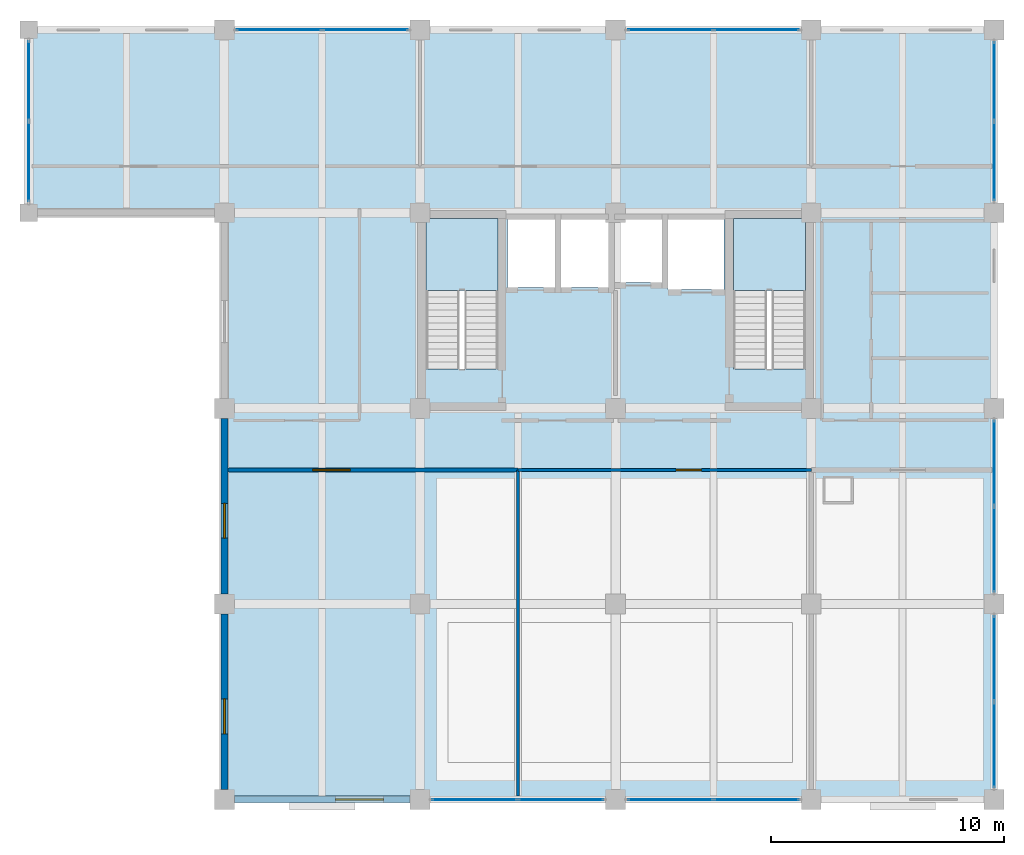
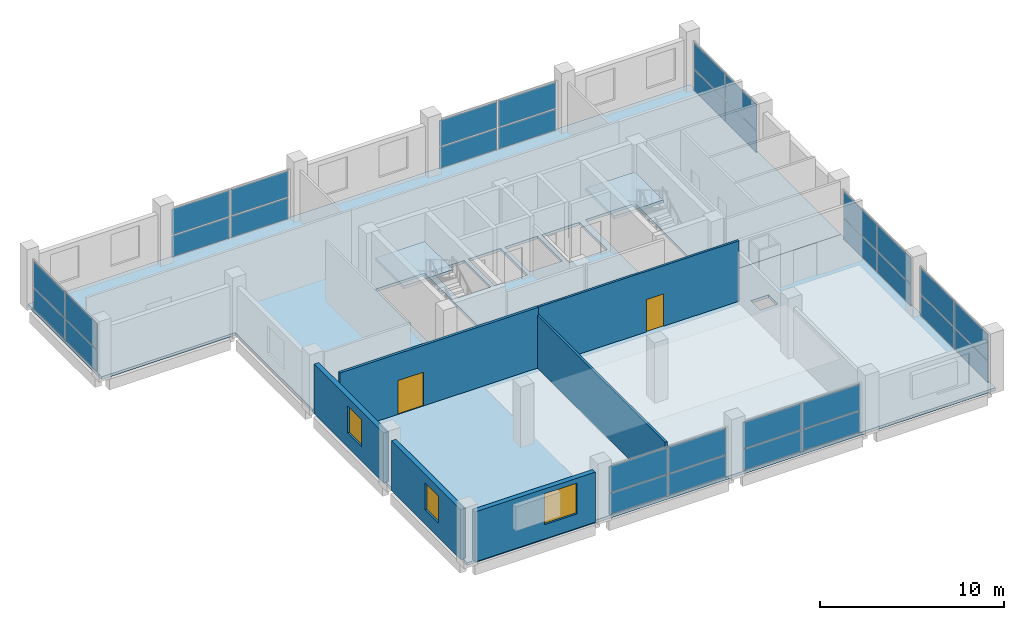
# One storey, part 6 of 9: 32 plates, 6 walls, 4 slabs, 3 windows, 2 doors, 5 openings, 10 elements without a shape of their own.
"""IFC4 building model written with IfcOpenShell, lengths in metres."""

from ifc_helpers import new_model, si_unit, direction, frame, frame_2d, origin, origin_2d, place, context, subcontext, project, spatial, polyline, rectangle, outline, extrude, material, layer, layer_set, type_object, element, fill, aggregate, save


model = new_model("IFC4")

# Units and contexts
model_context = context("Model", 3, precision=1e-05, world=origin(), true_north=direction((0.0, 1.0)))
body_context = subcontext(model_context, "Body", "Model", "MODEL_VIEW")
ifc_project = project(units=[si_unit("LENGTHUNIT", "METRE"), si_unit("AREAUNIT", "SQUARE_METRE"), si_unit("VOLUMEUNIT", "CUBIC_METRE"), si_unit("PLANEANGLEUNIT", "RADIAN"), si_unit("MASSUNIT", "GRAM", prefix="KILO")], contexts=[model_context])

# Site, building, storey
site_placement = place(None, origin())
site = spatial("IfcSite", under=ifc_project, at=site_placement, CompositionType="ELEMENT")
building_placement = place(site_placement, origin())
building = spatial("IfcBuilding", under=site, at=building_placement, Name="Brinegate Botanical Conservatory", CompositionType="ELEMENT")
storey_placement = place(building_placement, frame((0.0, 0.0, 31.800048828125)))
storey = spatial("IfcBuildingStorey", under=building, at=storey_placement, Name="L08", CompositionType="ELEMENT", Elevation=31.800048828125)

# Curtain wall, plates
ifc_material_1 = material(Name="Thermally broken anodised aluminium AW-6063-T6", Category="aluminium")
curtain_wall_type = type_object("IfcCurtainWallType", Name="CW_CW-TW1", PredefinedType="USERDEFINED", material=ifc_material_1)
curtain_wall_1_placement = place(storey_placement, origin())
curtain_wall_1 = element("IfcCurtainWall", 1, at=curtain_wall_1_placement, inside=storey, type_object=curtain_wall_type, Name="Research lab north curtain wall L08.2", ObjectType="FACTORY CURTAIN WALL", PredefinedType="USERDEFINED")
ifc_material_2 = material(Name="Double-silver Low-E laminated safety glass", Category="glass")
ifc_layer_1 = layer(ifc_material_2, 0.035888671875, Name="Double-silver Low-E laminated safety glass", Category="glass")
ifc_layer_set_1 = layer_set([ifc_layer_1], Name="Double-silver Low-E laminated safety glass")
plate_type = type_object("IfcPlateType", Name="Plate_PN-36", PredefinedType="CURTAIN_PANEL", material=ifc_layer_set_1)
plate_1_placement = place(storey_placement, frame((132.75, 111.449951171875, 0.06982421875), z_axis=(0.0, 0.0, 1.0), x_axis=(1.0, 0.0, 0.0)))
plate_1 = element("IfcPlate", 2, at=plate_1_placement, type_object=plate_type, Name="CW-TW1 panel 1.1", PredefinedType="CURTAIN_PANEL", context=body_context, shape_type="SweptSolid", body=[
    extrude(rectangle(XDim=3.6298828125, YDim=0.035888671875, at=origin_2d()), origin(), (0.0, 0.0, 1.0), 1.388916015625),
])
plate_2_placement = place(storey_placement, frame((132.75, 111.449951171875, 1.52880859375), z_axis=(0.0, 0.0, 1.0), x_axis=(1.0, 0.0, 0.0)))
plate_2 = element("IfcPlate", 3, at=plate_2_placement, type_object=plate_type, Name="CW-TW1 panel 1.2", PredefinedType="CURTAIN_PANEL", context=body_context, shape_type="SweptSolid", body=[
    extrude(rectangle(XDim=3.6298828125, YDim=0.035888671875, at=origin_2d()), origin(), (0.0, 0.0, 1.0), 1.720947265625),
])
plate_3_placement = place(storey_placement, frame((136.449951171875, 111.449951171875, 0.06982421875), z_axis=(0.0, 0.0, 1.0), x_axis=(1.0, 0.0, 0.0)))
plate_3 = element("IfcPlate", 4, at=plate_3_placement, type_object=plate_type, Name="CW-TW1 panel 2.1", PredefinedType="CURTAIN_PANEL", context=body_context, shape_type="SweptSolid", body=[
    extrude(rectangle(XDim=3.6298828125, YDim=0.035888671875, at=origin_2d()), origin(), (0.0, 0.0, 1.0), 1.388916015625),
])
plate_4_placement = place(storey_placement, frame((136.449951171875, 111.449951171875, 1.52880859375), z_axis=(0.0, 0.0, 1.0), x_axis=(1.0, 0.0, 0.0)))
plate_4 = element("IfcPlate", 5, at=plate_4_placement, type_object=plate_type, Name="CW-TW1 panel 2.2", PredefinedType="CURTAIN_PANEL", context=body_context, shape_type="SweptSolid", body=[
    extrude(rectangle(XDim=3.6298828125, YDim=0.035888671875, at=origin_2d()), origin(), (0.0, 0.0, 1.0), 1.720947265625),
])
aggregate(curtain_wall_1, [plate_1, plate_2, plate_3, plate_4])

curtain_wall_2_placement = place(storey_placement, origin())
curtain_wall_2 = element("IfcCurtainWall", 6, at=curtain_wall_2_placement, inside=storey, type_object=curtain_wall_type, Name="Research lab north curtain wall L08.4", ObjectType="FACTORY CURTAIN WALL", PredefinedType="USERDEFINED")
plate_5_placement = place(storey_placement, frame((149.550048828125, 111.449951171875, 0.06982421875), z_axis=(0.0, 0.0, 1.0), x_axis=(1.0, 0.0, 0.0)))
plate_5 = element("IfcPlate", 7, at=plate_5_placement, type_object=plate_type, Name="CW-TW1 panel 1.1", PredefinedType="CURTAIN_PANEL", context=body_context, shape_type="SweptSolid", body=[
    extrude(rectangle(XDim=3.6298828125, YDim=0.035888671875, at=origin_2d()), origin(), (0.0, 0.0, 1.0), 1.388916015625),
])
plate_6_placement = place(storey_placement, frame((149.550048828125, 111.449951171875, 1.52880859375), z_axis=(0.0, 0.0, 1.0), x_axis=(1.0, 0.0, 0.0)))
plate_6 = element("IfcPlate", 8, at=plate_6_placement, type_object=plate_type, Name="CW-TW1 panel 1.2", PredefinedType="CURTAIN_PANEL", context=body_context, shape_type="SweptSolid", body=[
    extrude(rectangle(XDim=3.6298828125, YDim=0.035888671875, at=origin_2d()), origin(), (0.0, 0.0, 1.0), 1.720947265625),
])
plate_7_placement = place(storey_placement, frame((153.25, 111.449951171875, 0.06982421875), z_axis=(0.0, 0.0, 1.0), x_axis=(1.0, 0.0, 0.0)))
plate_7 = element("IfcPlate", 9, at=plate_7_placement, type_object=plate_type, Name="CW-TW1 panel 2.1", PredefinedType="CURTAIN_PANEL", context=body_context, shape_type="SweptSolid", body=[
    extrude(rectangle(XDim=3.6298828125, YDim=0.035888671875, at=origin_2d()), origin(), (0.0, 0.0, 1.0), 1.388916015625),
])
plate_8_placement = place(storey_placement, frame((153.25, 111.449951171875, 1.52880859375), z_axis=(0.0, 0.0, 1.0), x_axis=(1.0, 0.0, 0.0)))
plate_8 = element("IfcPlate", 10, at=plate_8_placement, type_object=plate_type, Name="CW-TW1 panel 2.2", PredefinedType="CURTAIN_PANEL", context=body_context, shape_type="SweptSolid", body=[
    extrude(rectangle(XDim=3.6298828125, YDim=0.035888671875, at=origin_2d()), origin(), (0.0, 0.0, 1.0), 1.720947265625),
])
aggregate(curtain_wall_2, [plate_5, plate_6, plate_7, plate_8])

curtain_wall_3_placement = place(storey_placement, origin())
curtain_wall_3 = element("IfcCurtainWall", 11, at=curtain_wall_3_placement, inside=storey, type_object=curtain_wall_type, Name="Tower south curtain wall L08.2", ObjectType="FACTORY CURTAIN WALL", PredefinedType="USERDEFINED")
plate_9_placement = place(storey_placement, frame((144.85009765625, 78.39990234375, 0.06982421875), z_axis=(0.0, 0.0, 1.0), x_axis=(-1.0, 0.0, 0.0)))
plate_9 = element("IfcPlate", 12, at=plate_9_placement, type_object=plate_type, Name="CW-TW1 panel 1.1", PredefinedType="CURTAIN_PANEL", context=body_context, shape_type="SweptSolid", body=[
    extrude(rectangle(XDim=3.6298828125, YDim=0.035888671875, at=origin_2d()), origin(), (0.0, 0.0, 1.0), 1.388916015625),
])
plate_10_placement = place(storey_placement, frame((144.85009765625, 78.39990234375, 1.52880859375), z_axis=(0.0, 0.0, 1.0), x_axis=(-1.0, 0.0, 0.0)))
plate_10 = element("IfcPlate", 13, at=plate_10_placement, type_object=plate_type, Name="CW-TW1 panel 1.2", PredefinedType="CURTAIN_PANEL", context=body_context, shape_type="SweptSolid", body=[
    extrude(rectangle(XDim=3.6298828125, YDim=0.035888671875, at=origin_2d()), origin(), (0.0, 0.0, 1.0), 1.720947265625),
])
plate_11_placement = place(storey_placement, frame((141.14990234375, 78.39990234375, 0.06982421875), z_axis=(0.0, 0.0, 1.0), x_axis=(-1.0, 0.0, 0.0)))
plate_11 = element("IfcPlate", 14, at=plate_11_placement, type_object=plate_type, Name="CW-TW1 panel 2.1", PredefinedType="CURTAIN_PANEL", context=body_context, shape_type="SweptSolid", body=[
    extrude(rectangle(XDim=3.6298828125, YDim=0.035888671875, at=origin_2d()), origin(), (0.0, 0.0, 1.0), 1.388916015625),
])
plate_12_placement = place(storey_placement, frame((141.14990234375, 78.39990234375, 1.52880859375), z_axis=(0.0, 0.0, 1.0), x_axis=(-1.0, 0.0, 0.0)))
plate_12 = element("IfcPlate", 15, at=plate_12_placement, type_object=plate_type, Name="CW-TW1 panel 2.2", PredefinedType="CURTAIN_PANEL", context=body_context, shape_type="SweptSolid", body=[
    extrude(rectangle(XDim=3.6298828125, YDim=0.035888671875, at=origin_2d()), origin(), (0.0, 0.0, 1.0), 1.720947265625),
])
aggregate(curtain_wall_3, [plate_9, plate_10, plate_11, plate_12])

curtain_wall_4_placement = place(storey_placement, origin())
curtain_wall_4 = element("IfcCurtainWall", 16, at=curtain_wall_4_placement, inside=storey, type_object=curtain_wall_type, Name="Tower south curtain wall L08.3", ObjectType="FACTORY CURTAIN WALL", PredefinedType="USERDEFINED")
plate_13_placement = place(storey_placement, frame((153.25, 78.39990234375, 0.06982421875), z_axis=(0.0, 0.0, 1.0), x_axis=(-1.0, 0.0, 0.0)))
plate_13 = element("IfcPlate", 17, at=plate_13_placement, type_object=plate_type, Name="CW-TW1 panel 1.1", PredefinedType="CURTAIN_PANEL", context=body_context, shape_type="SweptSolid", body=[
    extrude(rectangle(XDim=3.6298828125, YDim=0.035888671875, at=origin_2d()), origin(), (0.0, 0.0, 1.0), 1.388916015625),
])
plate_14_placement = place(storey_placement, frame((153.25, 78.39990234375, 1.52880859375), z_axis=(0.0, 0.0, 1.0), x_axis=(-1.0, 0.0, 0.0)))
plate_14 = element("IfcPlate", 18, at=plate_14_placement, type_object=plate_type, Name="CW-TW1 panel 1.2", PredefinedType="CURTAIN_PANEL", context=body_context, shape_type="SweptSolid", body=[
    extrude(rectangle(XDim=3.6298828125, YDim=0.035888671875, at=origin_2d()), origin(), (0.0, 0.0, 1.0), 1.720947265625),
])
plate_15_placement = place(storey_placement, frame((149.550048828125, 78.39990234375, 0.06982421875), z_axis=(0.0, 0.0, 1.0), x_axis=(-1.0, 0.0, 0.0)))
plate_15 = element("IfcPlate", 19, at=plate_15_placement, type_object=plate_type, Name="CW-TW1 panel 2.1", PredefinedType="CURTAIN_PANEL", context=body_context, shape_type="SweptSolid", body=[
    extrude(rectangle(XDim=3.6298828125, YDim=0.035888671875, at=origin_2d()), origin(), (0.0, 0.0, 1.0), 1.388916015625),
])
plate_16_placement = place(storey_placement, frame((149.550048828125, 78.39990234375, 1.52880859375), z_axis=(0.0, 0.0, 1.0), x_axis=(-1.0, 0.0, 0.0)))
plate_16 = element("IfcPlate", 20, at=plate_16_placement, type_object=plate_type, Name="CW-TW1 panel 2.2", PredefinedType="CURTAIN_PANEL", context=body_context, shape_type="SweptSolid", body=[
    extrude(rectangle(XDim=3.6298828125, YDim=0.035888671875, at=origin_2d()), origin(), (0.0, 0.0, 1.0), 1.720947265625),
])
aggregate(curtain_wall_4, [plate_13, plate_14, plate_15, plate_16])

curtain_wall_5_placement = place(storey_placement, origin())
curtain_wall_5 = element("IfcCurtainWall", 21, at=curtain_wall_5_placement, inside=storey, type_object=curtain_wall_type, Name="Tower east curtain wall L08.1", ObjectType="FACTORY CURTAIN WALL", PredefinedType="USERDEFINED")
plate_17_placement = place(storey_placement, frame((163.449951171875, 84.449951171875, 0.06982421875), z_axis=(0.0, 0.0, 1.0), x_axis=(0.0, -1.0, 0.0)))
plate_17 = element("IfcPlate", 22, at=plate_17_placement, type_object=plate_type, Name="CW-TW1 panel 1.1", PredefinedType="CURTAIN_PANEL", context=body_context, shape_type="SweptSolid", body=[
    extrude(rectangle(XDim=3.6298828125, YDim=0.035888671875, at=origin_2d()), origin(), (0.0, 0.0, 1.0), 1.388916015625),
])
plate_18_placement = place(storey_placement, frame((163.449951171875, 84.449951171875, 1.52880859375), z_axis=(0.0, 0.0, 1.0), x_axis=(0.0, -1.0, 0.0)))
plate_18 = element("IfcPlate", 23, at=plate_18_placement, type_object=plate_type, Name="CW-TW1 panel 1.2", PredefinedType="CURTAIN_PANEL", context=body_context, shape_type="SweptSolid", body=[
    extrude(rectangle(XDim=3.6298828125, YDim=0.035888671875, at=origin_2d()), origin(), (0.0, 0.0, 1.0), 1.720947265625),
])
plate_19_placement = place(storey_placement, frame((163.449951171875, 80.75, 0.06982421875), z_axis=(0.0, 0.0, 1.0), x_axis=(0.0, -1.0, 0.0)))
plate_19 = element("IfcPlate", 24, at=plate_19_placement, type_object=plate_type, Name="CW-TW1 panel 2.1", PredefinedType="CURTAIN_PANEL", context=body_context, shape_type="SweptSolid", body=[
    extrude(rectangle(XDim=3.6298828125, YDim=0.035888671875, at=origin_2d()), origin(), (0.0, 0.0, 1.0), 1.388916015625),
])
plate_20_placement = place(storey_placement, frame((163.449951171875, 80.75, 1.52880859375), z_axis=(0.0, 0.0, 1.0), x_axis=(0.0, -1.0, 0.0)))
plate_20 = element("IfcPlate", 25, at=plate_20_placement, type_object=plate_type, Name="CW-TW1 panel 2.2", PredefinedType="CURTAIN_PANEL", context=body_context, shape_type="SweptSolid", body=[
    extrude(rectangle(XDim=3.6298828125, YDim=0.035888671875, at=origin_2d()), origin(), (0.0, 0.0, 1.0), 1.720947265625),
])
aggregate(curtain_wall_5, [plate_17, plate_18, plate_19, plate_20])

curtain_wall_6_placement = place(storey_placement, origin())
curtain_wall_6 = element("IfcCurtainWall", 26, at=curtain_wall_6_placement, inside=storey, type_object=curtain_wall_type, Name="Tower east curtain wall L08.2", ObjectType="FACTORY CURTAIN WALL", PredefinedType="USERDEFINED")
plate_21_placement = place(storey_placement, frame((163.449951171875, 92.85009765625, 0.06982421875), z_axis=(0.0, 0.0, 1.0), x_axis=(0.0, -1.0, 0.0)))
plate_21 = element("IfcPlate", 27, at=plate_21_placement, type_object=plate_type, Name="CW-TW1 panel 1.1", PredefinedType="CURTAIN_PANEL", context=body_context, shape_type="SweptSolid", body=[
    extrude(rectangle(XDim=3.6298828125, YDim=0.035888671875, at=origin_2d()), origin(), (0.0, 0.0, 1.0), 1.388916015625),
])
plate_22_placement = place(storey_placement, frame((163.449951171875, 92.85009765625, 1.52880859375), z_axis=(0.0, 0.0, 1.0), x_axis=(0.0, -1.0, 0.0)))
plate_22 = element("IfcPlate", 28, at=plate_22_placement, type_object=plate_type, Name="CW-TW1 panel 1.2", PredefinedType="CURTAIN_PANEL", context=body_context, shape_type="SweptSolid", body=[
    extrude(rectangle(XDim=3.6298828125, YDim=0.035888671875, at=origin_2d()), origin(), (0.0, 0.0, 1.0), 1.720947265625),
])
plate_23_placement = place(storey_placement, frame((163.449951171875, 89.14990234375, 0.06982421875), z_axis=(0.0, 0.0, 1.0), x_axis=(0.0, -1.0, 0.0)))
plate_23 = element("IfcPlate", 29, at=plate_23_placement, type_object=plate_type, Name="CW-TW1 panel 2.1", PredefinedType="CURTAIN_PANEL", context=body_context, shape_type="SweptSolid", body=[
    extrude(rectangle(XDim=3.6298828125, YDim=0.035888671875, at=origin_2d()), origin(), (0.0, 0.0, 1.0), 1.388916015625),
])
plate_24_placement = place(storey_placement, frame((163.449951171875, 89.14990234375, 1.52880859375), z_axis=(0.0, 0.0, 1.0), x_axis=(0.0, -1.0, 0.0)))
plate_24 = element("IfcPlate", 30, at=plate_24_placement, type_object=plate_type, Name="CW-TW1 panel 2.2", PredefinedType="CURTAIN_PANEL", context=body_context, shape_type="SweptSolid", body=[
    extrude(rectangle(XDim=3.6298828125, YDim=0.035888671875, at=origin_2d()), origin(), (0.0, 0.0, 1.0), 1.720947265625),
])
aggregate(curtain_wall_6, [plate_21, plate_22, plate_23, plate_24])

curtain_wall_7_placement = place(storey_placement, origin())
curtain_wall_7 = element("IfcCurtainWall", 31, at=curtain_wall_7_placement, inside=storey, type_object=curtain_wall_type, Name="Tower east curtain wall L08.4", ObjectType="FACTORY CURTAIN WALL", PredefinedType="USERDEFINED")
plate_25_placement = place(storey_placement, frame((163.449951171875, 109.237548828125, 0.06982421875), z_axis=(0.0, 0.0, 1.0), x_axis=(0.0, -1.0, 0.0)))
plate_25 = element("IfcPlate", 32, at=plate_25_placement, type_object=plate_type, Name="CW-TW1 panel 1.1", PredefinedType="CURTAIN_PANEL", context=body_context, shape_type="SweptSolid", body=[
    extrude(rectangle(XDim=3.35498046875, YDim=0.035888671875, at=origin_2d()), origin(), (0.0, 0.0, 1.0), 1.388916015625),
])
plate_26_placement = place(storey_placement, frame((163.449951171875, 109.237548828125, 1.52880859375), z_axis=(0.0, 0.0, 1.0), x_axis=(0.0, -1.0, 0.0)))
plate_26 = element("IfcPlate", 33, at=plate_26_placement, type_object=plate_type, Name="CW-TW1 panel 1.2", PredefinedType="CURTAIN_PANEL", context=body_context, shape_type="SweptSolid", body=[
    extrude(rectangle(XDim=3.35498046875, YDim=0.035888671875, at=origin_2d()), origin(), (0.0, 0.0, 1.0), 1.720947265625),
])
plate_27_placement = place(storey_placement, frame((163.449951171875, 105.8125, 0.06982421875), z_axis=(0.0, 0.0, 1.0), x_axis=(0.0, -1.0, 0.0)))
plate_27 = element("IfcPlate", 34, at=plate_27_placement, type_object=plate_type, Name="CW-TW1 panel 2.1", PredefinedType="CURTAIN_PANEL", context=body_context, shape_type="SweptSolid", body=[
    extrude(rectangle(XDim=3.35498046875, YDim=0.035888671875, at=origin_2d()), origin(), (0.0, 0.0, 1.0), 1.388916015625),
])
plate_28_placement = place(storey_placement, frame((163.449951171875, 105.8125, 1.52880859375), z_axis=(0.0, 0.0, 1.0), x_axis=(0.0, -1.0, 0.0)))
plate_28 = element("IfcPlate", 35, at=plate_28_placement, type_object=plate_type, Name="CW-TW1 panel 2.2", PredefinedType="CURTAIN_PANEL", context=body_context, shape_type="SweptSolid", body=[
    extrude(rectangle(XDim=3.35498046875, YDim=0.035888671875, at=origin_2d()), origin(), (0.0, 0.0, 1.0), 1.720947265625),
])
aggregate(curtain_wall_7, [plate_25, plate_26, plate_27, plate_28])

curtain_wall_8_placement = place(storey_placement, origin())
curtain_wall_8 = element("IfcCurtainWall", 36, at=curtain_wall_8_placement, inside=storey, type_object=curtain_wall_type, Name="Tower north-west curtain wall L08", ObjectType="FACTORY CURTAIN WALL", PredefinedType="USERDEFINED")
plate_29_placement = place(storey_placement, frame((122.0, 105.78759765625, 0.06982421875), z_axis=(0.0, 0.0, 1.0), x_axis=(0.0, 1.0, 0.0)))
plate_29 = element("IfcPlate", 37, at=plate_29_placement, type_object=plate_type, Name="CW-TW1 panel 1.1", PredefinedType="CURTAIN_PANEL", context=body_context, shape_type="SweptSolid", body=[
    extrude(rectangle(XDim=3.405029296875, YDim=0.035888671875, at=origin_2d()), origin(), (0.0, 0.0, 1.0), 1.388916015625),
])
plate_30_placement = place(storey_placement, frame((122.0, 105.78759765625, 1.52880859375), z_axis=(0.0, 0.0, 1.0), x_axis=(0.0, 1.0, 0.0)))
plate_30 = element("IfcPlate", 38, at=plate_30_placement, type_object=plate_type, Name="CW-TW1 panel 1.2", PredefinedType="CURTAIN_PANEL", context=body_context, shape_type="SweptSolid", body=[
    extrude(rectangle(XDim=3.405029296875, YDim=0.035888671875, at=origin_2d()), origin(), (0.0, 0.0, 1.0), 1.720947265625),
])
plate_31_placement = place(storey_placement, frame((122.0, 109.262451171875, 0.06982421875), z_axis=(0.0, 0.0, 1.0), x_axis=(0.0, 1.0, 0.0)))
plate_31 = element("IfcPlate", 39, at=plate_31_placement, type_object=plate_type, Name="CW-TW1 panel 2.1", PredefinedType="CURTAIN_PANEL", context=body_context, shape_type="SweptSolid", body=[
    extrude(rectangle(XDim=3.405029296875, YDim=0.035888671875, at=origin_2d()), origin(), (0.0, 0.0, 1.0), 1.388916015625),
])
plate_32_placement = place(storey_placement, frame((122.0, 109.262451171875, 1.52880859375), z_axis=(0.0, 0.0, 1.0), x_axis=(0.0, 1.0, 0.0)))
plate_32 = element("IfcPlate", 40, at=plate_32_placement, type_object=plate_type, Name="CW-TW1 panel 2.2", PredefinedType="CURTAIN_PANEL", context=body_context, shape_type="SweptSolid", body=[
    extrude(rectangle(XDim=3.405029296875, YDim=0.035888671875, at=origin_2d()), origin(), (0.0, 0.0, 1.0), 1.720947265625),
])
aggregate(curtain_wall_8, [plate_29, plate_30, plate_31, plate_32])

# Slabs
ifc_material_3 = material(Name="Concrete C40/50", Category="concrete")
ifc_layer_2 = layer(ifc_material_3, 0.179931640625, Name="Concrete C40/50", Category="concrete")
ifc_layer_set_2 = layer_set([ifc_layer_2], Name="Concrete C40/50")
slab_type_1 = type_object("IfcSlabType", Name="Slab_SL-FL180", PredefinedType="FLOOR", material=ifc_layer_set_2)
slab_1_placement = place(storey_placement, frame((0.0, 0.0, -0.179931640625)))
element("IfcSlab", 41, at=slab_1_placement, inside=storey, type_object=slab_type_1, Name="Research Tower L08 north structural floor slab", PredefinedType="FLOOR", context=body_context, shape_type="SweptSolid", body=[
    extrude(outline(polyline([(130.39990234375, 103.60009765625), (122.0, 103.60009765625), (122.0, 111.60009765625), (163.60009765625, 111.60009765625), (163.60009765625, 95.199951171875), (130.39990234375, 95.199951171875), (130.39990234375, 103.60009765625)]), holes=[polyline([(142.14990234375, 96.89990234375), (142.14990234375, 103.35009765625), (139.050048828125, 103.35009765625), (139.050048828125, 96.89990234375), (142.14990234375, 96.89990234375)]), polyline([(155.35009765625, 96.89990234375), (155.35009765625, 103.35009765625), (152.25, 103.35009765625), (152.25, 96.89990234375), (155.35009765625, 96.89990234375)]), polyline([(142.550048828125, 100.39990234375), (144.60009765625, 100.39990234375), (144.60009765625, 103.300048828125), (142.550048828125, 103.300048828125), (142.550048828125, 100.39990234375)]), polyline([(144.85009765625, 100.39990234375), (146.89990234375, 100.39990234375), (146.89990234375, 103.300048828125), (144.85009765625, 103.300048828125), (144.85009765625, 100.39990234375)]), polyline([(147.14990234375, 100.60009765625), (149.199951171875, 100.60009765625), (149.199951171875, 103.300048828125), (147.14990234375, 103.300048828125), (147.14990234375, 100.60009765625)]), polyline([(149.449951171875, 100.300048828125), (151.85009765625, 100.300048828125), (151.85009765625, 103.300048828125), (149.449951171875, 103.300048828125), (149.449951171875, 100.300048828125)])]), origin(), (0.0, 0.0, 1.0), 0.179931640625),
])
ifc_layer_3 = layer(ifc_material_3, 0.18505859375, Name="Concrete C40/50", Category="concrete")
ifc_layer_set_3 = layer_set([ifc_layer_3], Name="Concrete C40/50")
slab_type_2 = type_object("IfcSlabType", Name="Slab_SL-FL185", PredefinedType="FLOOR", material=ifc_layer_set_3)
slab_2_placement = place(storey_placement, frame((0.0, 0.0, -0.18505859375)))
element("IfcSlab", 42, at=slab_2_placement, inside=storey, type_object=slab_type_2, Name="Research Tower L08 south structural floor slab", PredefinedType="FLOOR", context=body_context, shape_type="SweptSolid", body=[
    extrude(outline(polyline([(163.60009765625, 78.39990234375), (130.39990234375, 78.39990234375), (130.39990234375, 95.199951171875), (163.60009765625, 95.199951171875), (163.60009765625, 78.39990234375)]), holes=[polyline([(156.199951171875, 91.199951171875), (157.300048828125, 91.199951171875), (157.300048828125, 92.199951171875), (156.199951171875, 92.199951171875), (156.199951171875, 91.199951171875)])]), origin(), (0.0, 0.0, 1.0), 0.18505859375),
])

# Stair, slab
stair_type = type_object("IfcStairType", Name="Stair_HT-4200", PredefinedType="HALF_TURN_STAIR", material=ifc_material_3)
stair_1_placement = place(storey_placement, origin())
stair_1 = element("IfcStair", 43, at=stair_1_placement, inside=storey, type_object=stair_type, Name="L08 Tower West Smoke-Proof Stair ST1", PredefinedType="HALF_TURN_STAIR")
ifc_layer_4 = layer(ifc_material_3, 0.199951171875, Name="Concrete C40/50", Category="concrete")
ifc_layer_set_4 = layer_set([ifc_layer_4], Name="Concrete C40/50")
slab_type_3 = type_object("IfcSlabType", Name="Slab_SL-LD200", PredefinedType="LANDING", material=ifc_layer_set_4)
slab_3_placement = place(storey_placement, frame((0.0, 0.0, 1.89990234375)))
slab_3 = element("IfcSlab", 44, at=slab_3_placement, type_object=slab_type_3, Name="ST1 landing 1", PredefinedType="LANDING", context=body_context, shape_type="SweptSolid", body=[
    extrude(outline(polyline([(142.14990234375, 100.260009765625), (142.14990234375, 103.35009765625), (139.050048828125, 103.35009765625), (139.050048828125, 100.260009765625), (142.14990234375, 100.260009765625)])), origin(), (0.0, 0.0, 1.0), 0.199951171875),
])
aggregate(stair_1, [slab_3])

stair_2_placement = place(storey_placement, origin())
stair_2 = element("IfcStair", 45, at=stair_2_placement, inside=storey, type_object=stair_type, Name="L08 Tower East Smoke-Proof Stair ST2", PredefinedType="HALF_TURN_STAIR")
slab_4_placement = place(storey_placement, frame((0.0, 0.0, 1.89990234375)))
slab_4 = element("IfcSlab", 46, at=slab_4_placement, type_object=slab_type_3, Name="ST2 landing 1", PredefinedType="LANDING", context=body_context, shape_type="SweptSolid", body=[
    extrude(outline(polyline([(155.35009765625, 100.260009765625), (155.35009765625, 103.35009765625), (152.25, 103.35009765625), (152.25, 100.260009765625), (155.35009765625, 100.260009765625)])), origin(), (0.0, 0.0, 1.0), 0.199951171875),
])
aggregate(stair_2, [slab_4])

# Wall, opening, window
ifc_material_4 = material(Name="Insulated Minnan red clay brick masonry", Category="masonry")
ifc_layer_5 = layer(ifc_material_4, 0.300048828125, Name="Insulated Minnan red clay brick masonry", Category="masonry")
ifc_layer_set_5 = layer_set([ifc_layer_5], Name="Insulated Minnan red clay brick masonry")
wall_type_1 = type_object("IfcWallType", Name="Wall_EW-300B", PredefinedType="STANDARD", material=ifc_layer_set_5)
wall_1_placement = place(storey_placement, frame((138.375, 78.39990234375, 0.0), z_axis=(0.0, 0.0, 1.0), x_axis=(-1.0, 0.0, 0.0)))
wall_1 = element("IfcWall", 47, at=wall_1_placement, inside=storey, type_object=wall_type_1, Name="Tower south facade wall L08.1", PredefinedType="STANDARD", context=body_context, shape_type="SweptSolid", body=[
    extrude(rectangle(XDim=7.550048828125, YDim=0.300048828125, at=frame_2d((3.77490234375, 0.0))), origin(), (0.0, 0.0, 1.0), 3.320068359375),
])
opening_1_placement = place(wall_1_placement, frame((1.14990234375, 0.0, 0.949951171875)))
opening_1 = element("IfcOpeningElement", 48, at=opening_1_placement, cuts=wall_1, Name="Opening WN-23", PredefinedType="OPENING", context=body_context, shape_type="SweptSolid", body=[
    extrude(rectangle(XDim=2.050048828125, YDim=2.050048828125, at=frame_2d((1.02490234375, 1.02490234375))), frame((0.0, 0.159912109375, 0.0), z_axis=(0.0, -1.0, 0.0), x_axis=(1.0, 0.0, 0.0)), (0.0, 0.0, 1.0), 0.320068359375),
])
ifc_material_5 = material(Name="Thermally broken aluminium-framed Low-E glass", Category="aluminium")
window_type_1 = type_object("IfcWindowType", Name="Win_WN-23", PartitioningType="DOUBLE_PANEL_VERTICAL", PredefinedType="WINDOW", material=ifc_material_5)
window_1_placement = place(opening_1_placement, origin())
window_1 = element("IfcWindow", 49, at=window_1_placement, inside=storey, type_object=window_type_1, Name="Tower south window L08.1", OverallHeight=2.050048828125, OverallWidth=2.050048828125, PartitioningType="DOUBLE_PANEL_VERTICAL", PredefinedType="WINDOW", context=body_context, shape_type="SweptSolid", body=[
    extrude(rectangle(XDim=2.050048828125, YDim=2.050048828125, at=frame_2d((1.02490234375, 1.02490234375))), frame((0.0, 0.030029296875, 0.0), z_axis=(0.0, -1.0, 0.0), x_axis=(1.0, 0.0, 0.0)), (0.0, 0.0, 1.0), 0.06005859375),
])
fill(opening_1, window_1)

wall_2_placement = place(storey_placement, frame((130.39990234375, 78.824951171875, 0.0), z_axis=(0.0, 0.0, 1.0), x_axis=(0.0, 1.0, 0.0)))
wall_2 = element("IfcWall", 50, at=wall_2_placement, inside=storey, type_object=wall_type_1, Name="Tower west wall L08.S1", PredefinedType="STANDARD", context=body_context, shape_type="SweptSolid", body=[
    extrude(rectangle(XDim=7.550048828125, YDim=0.300048828125, at=frame_2d((3.77490234375, 0.0))), origin(), (0.0, 0.0, 1.0), 3.320068359375),
])
opening_2_placement = place(wall_2_placement, frame((2.39990234375, 0.0, 0.949951171875)))
opening_2 = element("IfcOpeningElement", 51, at=opening_2_placement, cuts=wall_2, Name="Opening WN-04", PredefinedType="OPENING", context=body_context, shape_type="SweptSolid", body=[
    extrude(rectangle(XDim=1.5, YDim=1.800048828125, at=frame_2d((0.75, 0.89990234375))), frame((0.0, 0.159912109375, 0.0), z_axis=(0.0, -1.0, 0.0), x_axis=(1.0, 0.0, 0.0)), (0.0, 0.0, 1.0), 0.320068359375),
])
window_type_2 = type_object("IfcWindowType", Name="Win_WN-04", PartitioningType="DOUBLE_PANEL_VERTICAL", PredefinedType="WINDOW", material=ifc_material_5)
window_2_placement = place(opening_2_placement, origin())
window_2 = element("IfcWindow", 52, at=window_2_placement, inside=storey, type_object=window_type_2, Name="Tower west window L08.S1", OverallHeight=1.800048828125, OverallWidth=1.5, PartitioningType="DOUBLE_PANEL_VERTICAL", PredefinedType="WINDOW", context=body_context, shape_type="SweptSolid", body=[
    extrude(rectangle(XDim=1.5, YDim=1.800048828125, at=frame_2d((0.75, 0.89990234375))), frame((0.0, 0.030029296875, 0.0), z_axis=(0.0, -1.0, 0.0), x_axis=(1.0, 0.0, 0.0)), (0.0, 0.0, 1.0), 0.06005859375),
])
fill(opening_2, window_2)

wall_3_placement = place(storey_placement, frame((130.39990234375, 87.22509765625, 0.0), z_axis=(0.0, 0.0, 1.0), x_axis=(0.0, 1.0, 0.0)))
wall_3 = element("IfcWall", 53, at=wall_3_placement, inside=storey, type_object=wall_type_1, Name="Tower west wall L08.S2", PredefinedType="STANDARD", context=body_context, shape_type="SweptSolid", body=[
    extrude(rectangle(XDim=7.5498046875, YDim=0.300048828125, at=frame_2d((3.77490234375, 0.0))), origin(), (0.0, 0.0, 1.0), 3.320068359375),
])
opening_3_placement = place(wall_3_placement, frame((2.39990234375, 0.0, 0.949951171875)))
opening_3 = element("IfcOpeningElement", 54, at=opening_3_placement, cuts=wall_3, Name="Opening WN-04", PredefinedType="OPENING", context=body_context, shape_type="SweptSolid", body=[
    extrude(rectangle(XDim=1.5, YDim=1.800048828125, at=frame_2d((0.75, 0.89990234375))), frame((0.0, 0.159912109375, 0.0), z_axis=(0.0, -1.0, 0.0), x_axis=(1.0, 0.0, 0.0)), (0.0, 0.0, 1.0), 0.320068359375),
])
window_3_placement = place(opening_3_placement, origin())
window_3 = element("IfcWindow", 55, at=window_3_placement, inside=storey, type_object=window_type_2, Name="Tower west window L08.S2", OverallHeight=1.800048828125, OverallWidth=1.5, PartitioningType="DOUBLE_PANEL_VERTICAL", PredefinedType="WINDOW", context=body_context, shape_type="SweptSolid", body=[
    extrude(rectangle(XDim=1.5, YDim=1.800048828125, at=frame_2d((0.75, 0.89990234375))), frame((0.0, 0.030029296875, 0.0), z_axis=(0.0, -1.0, 0.0), x_axis=(1.0, 0.0, 0.0)), (0.0, 0.0, 1.0), 0.06005859375),
])
fill(opening_3, window_3)

# Wall, opening, door
ifc_material_6 = material(Name="Gypsum-clad steel-stud partition", Category="steel")
ifc_layer_6 = layer(ifc_material_6, 0.135009765625, Name="Gypsum-clad steel-stud partition", Category="steel")
ifc_layer_set_6 = layer_set([ifc_layer_6], Name="Gypsum-clad steel-stud partition")
wall_type_2 = type_object("IfcWallType", Name="Wall_PW-135", PredefinedType="PARTITIONING", material=ifc_layer_set_6)
wall_4_placement = place(storey_placement, frame((143.0, 92.550048828125, 0.0), z_axis=(0.0, 0.0, 1.0), x_axis=(1.0, 0.0, 0.0)))
wall_4 = element("IfcWall", 56, at=wall_4_placement, inside=storey, type_object=wall_type_2, Name="Interior partition P-L08-SB-S2", PredefinedType="PARTITIONING", context=body_context, shape_type="SweptSolid", body=[
    extrude(rectangle(XDim=12.60009765625, YDim=0.135009765625, at=frame_2d((6.300048828125, 0.0))), origin(), (0.0, 0.0, 1.0), 4.02001953125),
])
opening_4_placement = place(wall_4_placement, frame((6.800048828125, 0.0, 0.0)))
opening_4 = element("IfcOpeningElement", 57, at=opening_4_placement, cuts=wall_4, Name="Opening DR-01", PredefinedType="OPENING", context=body_context, shape_type="SweptSolid", body=[
    extrude(rectangle(XDim=1.080078125, YDim=2.14990234375, at=frame_2d((0.5400390625, 1.074951171875))), frame((0.0, 0.077392578125, 0.0), z_axis=(0.0, -1.0, 0.0), x_axis=(1.0, 0.0, 0.0)), (0.0, 0.0, 1.0), 0.155029296875),
])
ifc_material_7 = material(Name="Hardwood timber acoustic leaf", Category="wood")
door_type_1 = type_object("IfcDoorType", Name="Door_DR-01", OperationType="NOTDEFINED", PredefinedType="DOOR", material=ifc_material_7)
door_1_placement = place(opening_4_placement, origin())
door_1 = element("IfcDoor", 58, at=door_1_placement, inside=storey, type_object=door_type_1, Name="DR-P-L08-SB-S2-1", OperationType="SINGLE_SWING_LEFT", OverallHeight=2.14990234375, OverallWidth=1.080078125, PredefinedType="DOOR", context=body_context, shape_type="SweptSolid", body=[
    extrude(rectangle(XDim=1.080078125, YDim=2.14990234375, at=frame_2d((0.5400390625, 1.074951171875))), frame((0.0, 0.02490234375, 0.0), z_axis=(0.0, -1.0, 0.0), x_axis=(1.0, 0.0, 0.0)), (0.0, 0.0, 1.0), 0.050048828125),
])
fill(opening_4, door_1)

# Wall
wall_5_placement = place(storey_placement, frame((143.0, 78.550048828125, 0.0), z_axis=(0.0, 0.0, 1.0), x_axis=(0.0, 1.0, 0.0)))
element("IfcWall", 59, at=wall_5_placement, inside=storey, type_object=wall_type_2, Name="Interior partition P-L08-SDIV-S2", PredefinedType="PARTITIONING", context=body_context, shape_type="SweptSolid", body=[
    extrude(rectangle(XDim=14.0, YDim=0.135009765625, at=frame_2d((7.0, 0.0))), origin(), (0.0, 0.0, 1.0), 3.52001953125),
])

# Wall, opening, door
ifc_material_8 = material(Name="Gypsum-clad acoustic steel-stud partition", Category="steel")
ifc_layer_7 = layer(ifc_material_8, 0.1650390625, Name="Gypsum-clad acoustic steel-stud partition", Category="steel")
ifc_layer_set_7 = layer_set([ifc_layer_7], Name="Gypsum-clad acoustic steel-stud partition")
wall_type_3 = type_object("IfcWallType", Name="Wall_PW-165", PredefinedType="PARTITIONING", material=ifc_layer_set_7)
wall_6_placement = place(storey_placement, frame((130.550048828125, 92.550048828125, 0.0), z_axis=(0.0, 0.0, 1.0), x_axis=(1.0, 0.0, 0.0)))
wall_6 = element("IfcWall", 60, at=wall_6_placement, inside=storey, type_object=wall_type_3, Name="Interior partition P-L08-SB-S1", PredefinedType="PARTITIONING", context=body_context, shape_type="SweptSolid", body=[
    extrude(rectangle(XDim=12.449951171875, YDim=0.1650390625, at=frame_2d((6.22509765625, 0.0))), origin(), (0.0, 0.0, 1.0), 4.02001953125),
])
opening_5_placement = place(wall_6_placement, frame((3.64990234375, 0.0, 0.0)))
opening_5 = element("IfcOpeningElement", 61, at=opening_5_placement, cuts=wall_6, Name="Opening DR-22", PredefinedType="OPENING", context=body_context, shape_type="SweptSolid", body=[
    extrude(rectangle(XDim=1.60009765625, YDim=2.239990234375, at=frame_2d((0.800048828125, 1.1201171875))), frame((0.0, 0.092529296875, 0.0), z_axis=(0.0, -1.0, 0.0), x_axis=(1.0, 0.0, 0.0)), (0.0, 0.0, 1.0), 0.18505859375),
])
ifc_material_9 = material(Name="Powder-coated steel lab door", Category="steel")
door_type_2 = type_object("IfcDoorType", Name="Door_DR-22", OperationType="NOTDEFINED", PredefinedType="DOOR", material=ifc_material_9)
door_2_placement = place(opening_5_placement, origin())
door_2 = element("IfcDoor", 62, at=door_2_placement, inside=storey, type_object=door_type_2, Name="DR-P-L08-SB-S1-1", OperationType="SINGLE_SWING_RIGHT", OverallHeight=2.239990234375, OverallWidth=1.60009765625, PredefinedType="DOOR", context=body_context, shape_type="SweptSolid", body=[
    extrude(rectangle(XDim=1.60009765625, YDim=2.239990234375, at=frame_2d((0.800048828125, 1.1201171875))), frame((0.0, 0.02490234375, 0.0), z_axis=(0.0, -1.0, 0.0), x_axis=(1.0, 0.0, 0.0)), (0.0, 0.0, 1.0), 0.050048828125),
])
fill(opening_5, door_2)

save(model, "model.ifc")
